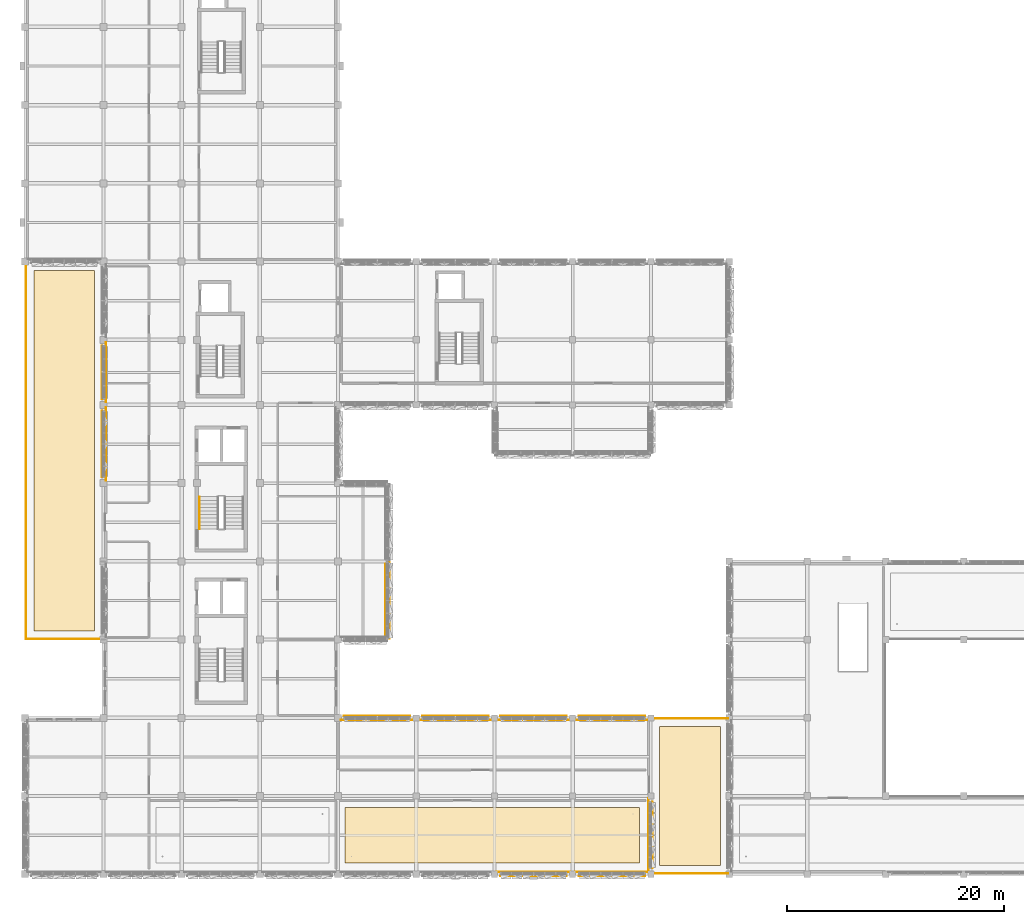
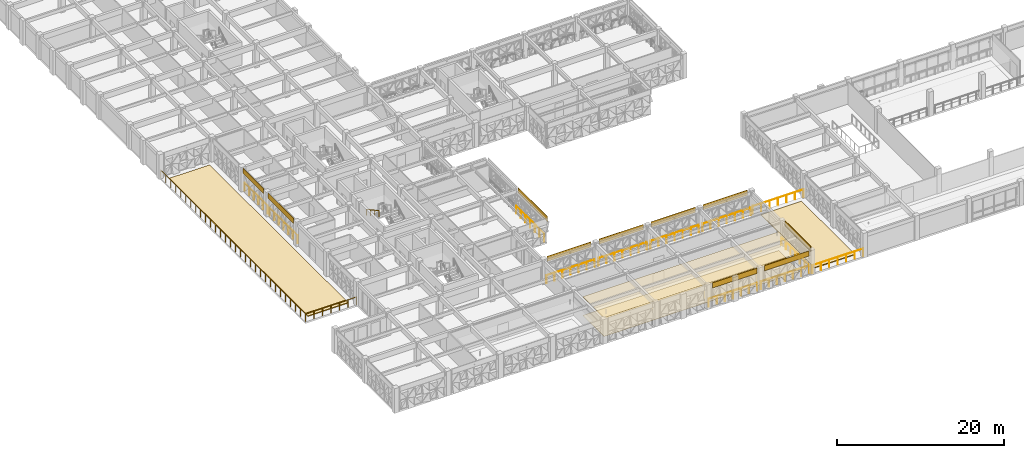
# One storey, part 69 of 85: 14 coverings, 14 railings.
"""IFC4 building model written with IfcOpenShell, lengths in metres."""

from ifc_helpers import new_model, si_unit, direction, frame, origin, origin_2d, place, context, subcontext, project, spatial, polyline, circle, outline, extrude, material, layer, layer_set, type_object, element, save


model = new_model("IFC4")

# Units and contexts
model_context = context("Model", 3, precision=1e-05, world=origin(), true_north=direction((0.0, 1.0)))
body_context = subcontext(model_context, "Body", "Model", "MODEL_VIEW")
ifc_project = project(units=[si_unit("LENGTHUNIT", "METRE"), si_unit("AREAUNIT", "SQUARE_METRE"), si_unit("VOLUMEUNIT", "CUBIC_METRE"), si_unit("PLANEANGLEUNIT", "RADIAN"), si_unit("MASSUNIT", "GRAM", prefix="KILO")], contexts=[model_context])

# Site, building, storey
site_placement = place(None, origin())
site = spatial("IfcSite", under=ifc_project, at=site_placement, CompositionType="ELEMENT")
building_placement = place(site_placement, origin())
building = spatial("IfcBuilding", under=site, at=building_placement, Name="Alvorim Cloister Faculty of Sciences", CompositionType="ELEMENT")
storey_placement = place(building_placement, frame((0.0, 0.0, 8.550048828125)))
storey = spatial("IfcBuildingStorey", under=building, at=storey_placement, Name="L02", CompositionType="ELEMENT", Elevation=8.550048828125)

# Coverings
ifc_material_1 = material(Name="Perforated Timber Acoustic Ceiling", Category="wood")
ifc_layer_1 = layer(ifc_material_1, 0.030029296875)
ifc_layer_set_1 = layer_set([ifc_layer_1], Name="Perforated Timber Acoustic Ceiling")
covering_type_1 = type_object("IfcCoveringType", Name="COV-CEIL-ACOUSTIC", PredefinedType="CEILING", material=ifc_layer_set_1)
covering_1_placement = place(storey_placement, frame((0.0, 0.0, 2.72998046875)))
element("IfcCovering", 1, at=covering_1_placement, inside=storey, type_object=covering_type_1, Name="Inorganic Synthesis Laboratory Acoustic Ceiling", PredefinedType="CEILING", context=body_context, shape_type="SweptSolid", body=[
    extrude(outline(polyline([(29.449951171875, 1.050048828125), (56.550048828125, 1.050048828125), (56.550048828125, 6.14990234375), (29.449951171875, 6.14990234375), (29.449951171875, 1.050048828125)])), origin(), (0.0, 0.0, 1.0), 0.030029296875),
])
ifc_material_2 = material(Name="Anodised Aluminium Alloy 6063-T6", Category="aluminium")
ifc_layer_2 = layer(ifc_material_2, 0.031982421875)
ifc_layer_set_2 = layer_set([ifc_layer_2], Name="Anodised Aluminium Alloy 6063-T6")
covering_type_2 = type_object("IfcCoveringType", Name="COV-FAC-CAS", PredefinedType="CLADDING", material=ifc_layer_set_2)
covering_2_placement = place(storey_placement, frame((7.050048828125, 36.5400390625, 2.829833984375), z_axis=(0.0, 0.0, 1.0), x_axis=(0.0, 1.0, 0.0)))
element("IfcCovering", 2, at=covering_2_placement, inside=storey, type_object=covering_type_2, Name="L02 Shifted Bar Slab-Edge Architectural Fascia", PredefinedType="CLADDING", context=body_context, shape_type="SweptSolid", body=[
    extrude(outline(polyline([(0.0, 0.0), (6.1201171875, 0.0), (6.1201171875, 0.760009765625), (0.0, 0.760009765625), (0.0, 0.0)])), frame((0.0, 0.0224609375, 0.0), z_axis=(0.0, -1.0, 0.0), x_axis=(1.0, 0.0, 0.0)), (0.0, 0.0, 1.0), 0.044921875),
])
covering_3_placement = place(storey_placement, frame((7.050048828125, 43.739990234375, 2.829833984375), z_axis=(0.0, 0.0, 1.0), x_axis=(0.0, 1.0, 0.0)))
element("IfcCovering", 3, at=covering_3_placement, inside=storey, type_object=covering_type_2, Name="L02 Shifted Bar Slab-Edge Architectural Fascia", PredefinedType="CLADDING", context=body_context, shape_type="SweptSolid", body=[
    extrude(outline(polyline([(0.0, 0.0), (4.919921875, 0.0), (4.919921875, 0.760009765625), (0.0, 0.760009765625), (0.0, 0.0)])), frame((0.0, 0.0224609375, 0.0), z_axis=(0.0, -1.0, 0.0), x_axis=(1.0, 0.0, 0.0)), (0.0, 0.0, 1.0), 0.044921875),
])
covering_4_placement = place(storey_placement, frame((33.550048828125, 21.679931640625, 2.8369140625), z_axis=(0.0, 0.0, 1.0), x_axis=(0.0, 1.0, 0.0)))
element("IfcCovering", 4, at=covering_4_placement, inside=storey, type_object=covering_type_2, Name="L02 Shifted Bar Slab-Edge Architectural Fascia", PredefinedType="CLADDING", context=body_context, shape_type="SweptSolid", body=[
    extrude(outline(polyline([(0.0, 0.0), (7.0400390625, 0.0), (7.0400390625, 0.7529296875), (0.0, 0.7529296875), (0.0, 0.0)])), frame((0.0, 0.0224609375, 0.0), z_axis=(0.0, -1.0, 0.0), x_axis=(1.0, 0.0, 0.0)), (0.0, 0.0, 1.0), 0.044921875),
])
for number, where, z_axis, x_axis, name in (
    (5, (29.340087890625, 14.550048828125, 2.829833984375), (0.0, 0.0, 1.0), (1.0, 0.0, 0.0), "L02 Shifted Bar Slab-Edge Architectural Fascia"),
    (6, (36.5400390625, 14.550048828125, 2.829833984375), (0.0, 0.0, 1.0), (1.0, 0.0, 0.0), "L02 Shifted Bar Slab-Edge Architectural Fascia"),
    (7, (43.739990234375, 14.550048828125, 2.829833984375), (0.0, 0.0, 1.0), (1.0, 0.0, 0.0), "L02 Shifted Bar Slab-Edge Architectural Fascia"),
    (8, (50.93994140625, 14.550048828125, 2.829833984375), (0.0, 0.0, 1.0), (1.0, 0.0, 0.0), "L02 Shifted Bar Slab-Edge Architectural Fascia"),
    (9, (57.75, 0.5400390625, 2.829833984375), (0.0, 0.0, 1.0), (0.0, 1.0, 0.0), "L02 Shifted Bar Slab-Edge Architectural Fascia"),
    (10, (50.93994140625, -0.14990234375, 2.829833984375), (0.0, 0.0, 1.0), (1.0, 0.0, 0.0), "L02 Shifted Bar Slab-Edge Architectural Fascia"),
    (11, (43.739990234375, -0.14990234375, 2.829833984375), (0.0, 0.0, 1.0), (1.0, 0.0, 0.0), "L02 Shifted Bar Slab-Edge Architectural Fascia"),
):
    element("IfcCovering", number, at=place(storey_placement, frame(where, z_axis=z_axis, x_axis=x_axis)), inside=storey, type_object=covering_type_2, Name=name, PredefinedType="CLADDING", context=body_context, shape_type="SweptSolid", body=[
        extrude(outline(polyline([(0.0, 0.0), (6.1201171875, 0.0), (6.1201171875, 0.760009765625), (0.0, 0.760009765625), (0.0, 0.0)])), frame((0.0, 0.0224609375, 0.0), z_axis=(0.0, -1.0, 0.0), x_axis=(1.0, 0.0, 0.0)), (0.0, 0.0, 1.0), 0.044921875),
    ])
ifc_material_3 = material(Name="Chemical-Resistant Sheet Flooring", Category="polymer")
ifc_layer_3 = layer(ifc_material_3, 0.02001953125)
ifc_layer_set_3 = layer_set([ifc_layer_3], Name="Chemical-Resistant Sheet Flooring")
covering_type_3 = type_object("IfcCoveringType", Name="COV-FLR-LAB", PredefinedType="FLOORING", material=ifc_layer_set_3)
covering_5_placement = place(storey_placement, origin())
element("IfcCovering", 12, at=covering_5_placement, inside=storey, type_object=covering_type_3, Name="Inorganic Synthesis Laboratory Floor Finish", PredefinedType="FLOORING", context=body_context, shape_type="SweptSolid", body=[
    extrude(outline(polyline([(29.449951171875, 1.050048828125), (56.550048828125, 1.050048828125), (56.550048828125, 6.14990234375), (29.449951171875, 6.14990234375), (29.449951171875, 1.050048828125)])), origin(), (0.0, 0.0, 1.0), 0.02001953125),
])
ifc_material_4 = material(Name="Intensive Vegetated Substrate", Category="earth")
ifc_layer_4 = layer(ifc_material_4, 0.10009765625)
ifc_layer_set_4 = layer_set([ifc_layer_4], Name="Intensive Vegetated Substrate")
covering_type_4 = type_object("IfcCoveringType", Name="COV-ROOF-GREEN", PredefinedType="ROOFING", material=ifc_layer_set_4)
covering_6_placement = place(storey_placement, origin())
element("IfcCovering", 13, at=covering_6_placement, inside=storey, type_object=covering_type_4, Name="L02 West Colonnade Stepped Roof Terrace Quota Ambiental Vegetated Substrate", PredefinedType="ROOFING", context=body_context, shape_type="SweptSolid", body=[
    extrude(outline(polyline([(0.800048828125, 22.39990234375), (6.39990234375, 22.39990234375), (6.39990234375, 55.60009765625), (0.800048828125, 55.60009765625), (0.800048828125, 22.39990234375)])), origin(), (0.0, 0.0, 1.0), 0.099853515625),
])
covering_7_placement = place(storey_placement, origin())
element("IfcCovering", 14, at=covering_7_placement, inside=storey, type_object=covering_type_4, Name="L02 Public Passage Overlook Terrace Quota Ambiental Vegetated Substrate", PredefinedType="ROOFING", context=body_context, shape_type="SweptSolid", body=[
    extrude(outline(polyline([(58.39990234375, 0.800048828125), (64.0, 0.800048828125), (64.0, 13.60009765625), (58.39990234375, 13.60009765625), (58.39990234375, 0.800048828125)])), origin(), (0.0, 0.0, 1.0), 0.099853515625),
])

# Railings
ifc_material_5 = material(Name="Laminated Safety Glass and Bronze", Category="glass")
railing_type_1 = type_object("IfcRailingType", Name="RL-ATR-BAL-1150", PredefinedType="BALUSTRADE", material=ifc_material_5)
railing_1_placement = place(storey_placement, frame((7.419921875, 36.25, 0.0)))
element("IfcRailing", 15, at=railing_1_placement, inside=storey, type_object=railing_type_1, Name="L02 Curtain Wall Sill Guard BL-46", PredefinedType="BALUSTRADE", context=body_context, shape_type="SweptSolid", body=[
    extrude(circle(Radius=0.02392578125, at=origin_2d()), frame((0.0, 0.0, 1.1259765625), z_axis=(0.0, 1.0, 0.0), x_axis=(-1.0, 0.0, 0.0)), (0.0, 0.0, 1.0), 6.699951171875),
    extrude(circle(Radius=0.02099609375, at=origin_2d()), origin(), (0.0, 0.0, 1.0), 1.101806640625),
    extrude(circle(Radius=0.02099609375, at=origin_2d()), frame((0.0, 1.11669921875, 0.0)), (0.0, 0.0, 1.0), 1.101806640625),
    extrude(circle(Radius=0.02099609375, at=origin_2d()), frame((0.0, 2.2333984375, 0.0)), (0.0, 0.0, 1.0), 1.101806640625),
    extrude(circle(Radius=0.02099609375, at=origin_2d()), frame((0.0, 3.35009765625, 0.0)), (0.0, 0.0, 1.0), 1.101806640625),
    extrude(circle(Radius=0.02099609375, at=origin_2d()), frame((0.0, 4.466552734375, 0.0)), (0.0, 0.0, 1.0), 1.101806640625),
    extrude(circle(Radius=0.02099609375, at=origin_2d()), frame((0.0, 5.583251953125, 0.0)), (0.0, 0.0, 1.0), 1.101806640625),
    extrude(circle(Radius=0.02099609375, at=origin_2d()), frame((0.0, 6.699951171875, 0.0)), (0.0, 0.0, 1.0), 1.101806640625),
])
railing_2_placement = place(storey_placement, frame((7.419921875, 43.449951171875, 0.0)))
element("IfcRailing", 16, at=railing_2_placement, inside=storey, type_object=railing_type_1, Name="L02 Curtain Wall Sill Guard BL-47", PredefinedType="BALUSTRADE", context=body_context, shape_type="SweptSolid", body=[
    extrude(circle(Radius=0.02392578125, at=origin_2d()), frame((0.0, 0.0, 1.1259765625), z_axis=(0.0, 1.0, 0.0), x_axis=(-1.0, 0.0, 0.0)), (0.0, 0.0, 1.0), 5.5),
    extrude(circle(Radius=0.02099609375, at=origin_2d()), origin(), (0.0, 0.0, 1.0), 1.101806640625),
    extrude(circle(Radius=0.02099609375, at=origin_2d()), frame((0.0, 1.10009765625, 0.0)), (0.0, 0.0, 1.0), 1.101806640625),
    extrude(circle(Radius=0.02099609375, at=origin_2d()), frame((0.0, 2.199951171875, 0.0)), (0.0, 0.0, 1.0), 1.101806640625),
    extrude(circle(Radius=0.02099609375, at=origin_2d()), frame((0.0, 3.300048828125, 0.0)), (0.0, 0.0, 1.0), 1.101806640625),
    extrude(circle(Radius=0.02099609375, at=origin_2d()), frame((0.0, 4.39990234375, 0.0)), (0.0, 0.0, 1.0), 1.101806640625),
    extrude(circle(Radius=0.02099609375, at=origin_2d()), frame((0.0, 5.5, 0.0)), (0.0, 0.0, 1.0), 1.101806640625),
])
railing_3_placement = place(storey_placement, frame((33.179931640625, 21.85009765625, 0.0)))
element("IfcRailing", 17, at=railing_3_placement, inside=storey, type_object=railing_type_1, Name="L02 Curtain Wall Sill Guard BL-67", PredefinedType="BALUSTRADE", context=body_context, shape_type="SweptSolid", body=[
    extrude(circle(Radius=0.02392578125, at=origin_2d()), frame((0.0, 0.0, 1.1259765625), z_axis=(0.0, 1.0, 0.0), x_axis=(-1.0, 0.0, 0.0)), (0.0, 0.0, 1.0), 6.699951171875),
    extrude(circle(Radius=0.02099609375, at=origin_2d()), origin(), (0.0, 0.0, 1.0), 1.101806640625),
    extrude(circle(Radius=0.02099609375, at=origin_2d()), frame((0.0, 1.11669921875, 0.0)), (0.0, 0.0, 1.0), 1.101806640625),
    extrude(circle(Radius=0.02099609375, at=origin_2d()), frame((0.0, 2.2333984375, 0.0)), (0.0, 0.0, 1.0), 1.101806640625),
    extrude(circle(Radius=0.02099609375, at=origin_2d()), frame((0.0, 3.35009765625, 0.0)), (0.0, 0.0, 1.0), 1.101806640625),
    extrude(circle(Radius=0.02099609375, at=origin_2d()), frame((0.0, 4.466552734375, 0.0)), (0.0, 0.0, 1.0), 1.101806640625),
    extrude(circle(Radius=0.02099609375, at=origin_2d()), frame((0.0, 5.583251953125, 0.0)), (0.0, 0.0, 1.0), 1.101806640625),
    extrude(circle(Radius=0.02099609375, at=origin_2d()), frame((0.0, 6.699951171875, 0.0)), (0.0, 0.0, 1.0), 1.101806640625),
])
for number, where, name in (
    (18, (29.050048828125, 14.179931640625, 0.0), "L02 Curtain Wall Sill Guard BL-69"),
    (19, (36.25, 14.179931640625, 0.0), "L02 Curtain Wall Sill Guard BL-70"),
    (20, (43.449951171875, 14.179931640625, 0.0), "L02 Curtain Wall Sill Guard BL-71"),
):
    element("IfcRailing", number, at=place(storey_placement, frame(where)), inside=storey, type_object=railing_type_1, Name=name, PredefinedType="BALUSTRADE", context=body_context, shape_type="SweptSolid", body=[
        extrude(circle(Radius=0.02392578125, at=origin_2d()), frame((0.0, 0.0, 1.1259765625), z_axis=(1.0, 0.0, 0.0), x_axis=(0.0, 1.0, 0.0)), (0.0, 0.0, 1.0), 6.699951171875),
        extrude(circle(Radius=0.02099609375, at=origin_2d()), origin(), (0.0, 0.0, 1.0), 1.101806640625),
        extrude(circle(Radius=0.02099609375, at=origin_2d()), frame((1.11669921875, 0.0, 0.0)), (0.0, 0.0, 1.0), 1.101806640625),
        extrude(circle(Radius=0.02099609375, at=origin_2d()), frame((2.2333984375, 0.0, 0.0)), (0.0, 0.0, 1.0), 1.101806640625),
        extrude(circle(Radius=0.02099609375, at=origin_2d()), frame((3.35009765625, 0.0, 0.0)), (0.0, 0.0, 1.0), 1.101806640625),
        extrude(circle(Radius=0.02099609375, at=origin_2d()), frame((4.466552734375, 0.0, 0.0)), (0.0, 0.0, 1.0), 1.101806640625),
        extrude(circle(Radius=0.02099609375, at=origin_2d()), frame((5.583251953125, 0.0, 0.0)), (0.0, 0.0, 1.0), 1.101806640625),
        extrude(circle(Radius=0.02099609375, at=origin_2d()), frame((6.699951171875, 0.0, 0.0)), (0.0, 0.0, 1.0), 1.101806640625),
    ])
railing_4_placement = place(storey_placement, frame((50.64990234375, 14.179931640625, 0.0)))
element("IfcRailing", 21, at=railing_4_placement, inside=storey, type_object=railing_type_1, Name="L02 Curtain Wall Sill Guard BL-72", PredefinedType="BALUSTRADE", context=body_context, shape_type="SweptSolid", body=[
    extrude(circle(Radius=0.02392578125, at=origin_2d()), frame((0.0, 0.0, 1.1259765625), z_axis=(1.0, 0.0, 0.0), x_axis=(0.0, 1.0, 0.0)), (0.0, 0.0, 1.0), 6.7001953125),
    extrude(circle(Radius=0.02099609375, at=origin_2d()), origin(), (0.0, 0.0, 1.0), 1.101806640625),
    extrude(circle(Radius=0.02099609375, at=origin_2d()), frame((1.11669921875, 0.0, 0.0)), (0.0, 0.0, 1.0), 1.101806640625),
    extrude(circle(Radius=0.02099609375, at=origin_2d()), frame((2.2333984375, 0.0, 0.0)), (0.0, 0.0, 1.0), 1.101806640625),
    extrude(circle(Radius=0.02099609375, at=origin_2d()), frame((3.35009765625, 0.0, 0.0)), (0.0, 0.0, 1.0), 1.101806640625),
    extrude(circle(Radius=0.02099609375, at=origin_2d()), frame((4.466796875, 0.0, 0.0)), (0.0, 0.0, 1.0), 1.101806640625),
    extrude(circle(Radius=0.02099609375, at=origin_2d()), frame((5.58349609375, 0.0, 0.0)), (0.0, 0.0, 1.0), 1.101806640625),
    extrude(circle(Radius=0.02099609375, at=origin_2d()), frame((6.7001953125, 0.0, 0.0)), (0.0, 0.0, 1.0), 1.101806640625),
])
railing_5_placement = place(storey_placement, frame((57.3798828125, 0.25, 0.0)))
element("IfcRailing", 22, at=railing_5_placement, inside=storey, type_object=railing_type_1, Name="L02 Curtain Wall Sill Guard BL-73", PredefinedType="BALUSTRADE", context=body_context, shape_type="SweptSolid", body=[
    extrude(circle(Radius=0.02392578125, at=origin_2d()), frame((0.0, 0.0, 1.1259765625), z_axis=(0.0, 1.0, 0.0), x_axis=(-1.0, 0.0, 0.0)), (0.0, 0.0, 1.0), 6.699951171875),
    extrude(circle(Radius=0.02099609375, at=origin_2d()), origin(), (0.0, 0.0, 1.0), 1.101806640625),
    extrude(circle(Radius=0.02099609375, at=origin_2d()), frame((0.0, 1.11669921875, 0.0)), (0.0, 0.0, 1.0), 1.101806640625),
    extrude(circle(Radius=0.02099609375, at=origin_2d()), frame((0.0, 2.2333984375, 0.0)), (0.0, 0.0, 1.0), 1.101806640625),
    extrude(circle(Radius=0.02099609375, at=origin_2d()), frame((0.0, 3.35009765625, 0.0)), (0.0, 0.0, 1.0), 1.101806640625),
    extrude(circle(Radius=0.02099609375, at=origin_2d()), frame((0.0, 4.466552734375, 0.0)), (0.0, 0.0, 1.0), 1.101806640625),
    extrude(circle(Radius=0.02099609375, at=origin_2d()), frame((0.0, 5.583251953125, 0.0)), (0.0, 0.0, 1.0), 1.101806640625),
    extrude(circle(Radius=0.02099609375, at=origin_2d()), frame((0.0, 6.699951171875, 0.0)), (0.0, 0.0, 1.0), 1.101806640625),
])
railing_6_placement = place(storey_placement, frame((50.64990234375, 0.219970703125, 0.0)))
element("IfcRailing", 23, at=railing_6_placement, inside=storey, type_object=railing_type_1, Name="L02 Curtain Wall Sill Guard BL-74", PredefinedType="BALUSTRADE", context=body_context, shape_type="SweptSolid", body=[
    extrude(circle(Radius=0.02392578125, at=origin_2d()), frame((0.0, 0.0, 1.1259765625), z_axis=(1.0, 0.0, 0.0), x_axis=(0.0, 1.0, 0.0)), (0.0, 0.0, 1.0), 6.7001953125),
    extrude(circle(Radius=0.02099609375, at=origin_2d()), origin(), (0.0, 0.0, 1.0), 1.101806640625),
    extrude(circle(Radius=0.02099609375, at=origin_2d()), frame((1.11669921875, 0.0, 0.0)), (0.0, 0.0, 1.0), 1.101806640625),
    extrude(circle(Radius=0.02099609375, at=origin_2d()), frame((2.2333984375, 0.0, 0.0)), (0.0, 0.0, 1.0), 1.101806640625),
    extrude(circle(Radius=0.02099609375, at=origin_2d()), frame((3.35009765625, 0.0, 0.0)), (0.0, 0.0, 1.0), 1.101806640625),
    extrude(circle(Radius=0.02099609375, at=origin_2d()), frame((4.466796875, 0.0, 0.0)), (0.0, 0.0, 1.0), 1.101806640625),
    extrude(circle(Radius=0.02099609375, at=origin_2d()), frame((5.58349609375, 0.0, 0.0)), (0.0, 0.0, 1.0), 1.101806640625),
    extrude(circle(Radius=0.02099609375, at=origin_2d()), frame((6.7001953125, 0.0, 0.0)), (0.0, 0.0, 1.0), 1.101806640625),
])
railing_7_placement = place(storey_placement, frame((43.449951171875, 0.219970703125, 0.0)))
element("IfcRailing", 24, at=railing_7_placement, inside=storey, type_object=railing_type_1, Name="L02 Curtain Wall Sill Guard BL-75", PredefinedType="BALUSTRADE", context=body_context, shape_type="SweptSolid", body=[
    extrude(circle(Radius=0.02392578125, at=origin_2d()), frame((0.0, 0.0, 1.1259765625), z_axis=(1.0, 0.0, 0.0), x_axis=(0.0, 1.0, 0.0)), (0.0, 0.0, 1.0), 6.699951171875),
    extrude(circle(Radius=0.02099609375, at=origin_2d()), origin(), (0.0, 0.0, 1.0), 1.101806640625),
    extrude(circle(Radius=0.02099609375, at=origin_2d()), frame((1.11669921875, 0.0, 0.0)), (0.0, 0.0, 1.0), 1.101806640625),
    extrude(circle(Radius=0.02099609375, at=origin_2d()), frame((2.2333984375, 0.0, 0.0)), (0.0, 0.0, 1.0), 1.101806640625),
    extrude(circle(Radius=0.02099609375, at=origin_2d()), frame((3.35009765625, 0.0, 0.0)), (0.0, 0.0, 1.0), 1.101806640625),
    extrude(circle(Radius=0.02099609375, at=origin_2d()), frame((4.466552734375, 0.0, 0.0)), (0.0, 0.0, 1.0), 1.101806640625),
    extrude(circle(Radius=0.02099609375, at=origin_2d()), frame((5.583251953125, 0.0, 0.0)), (0.0, 0.0, 1.0), 1.101806640625),
    extrude(circle(Radius=0.02099609375, at=origin_2d()), frame((6.699951171875, 0.0, 0.0)), (0.0, 0.0, 1.0), 1.101806640625),
])
ifc_material_6 = material(Name="Galvanised Painted Steel", Category="steel")
railing_type_2 = type_object("IfcRailingType", Name="RL-PAR-GUARD-1150", PredefinedType="GUARDRAIL", material=ifc_material_6)
railing_8_placement = place(storey_placement, frame((64.719970703125, 14.340087890625, 0.0)))
element("IfcRailing", 25, at=railing_8_placement, inside=storey, type_object=railing_type_2, Name="L02 Public Passage Overlook Terrace Perimeter Guard GR-296", PredefinedType="GUARDRAIL", context=body_context, shape_type="SweptSolid", body=[
    extrude(circle(Radius=0.02392578125, at=origin_2d()), frame((0.0, 0.0, 1.1259765625), z_axis=(-1.0, 0.0, 0.0), x_axis=(0.0, -1.0, 0.0)), (0.0, 0.0, 1.0), 7.0400390625),
    extrude(circle(Radius=0.02099609375, at=origin_2d()), origin(), (0.0, 0.0, 1.0), 1.101806640625),
    extrude(circle(Radius=0.02099609375, at=origin_2d()), frame((-1.17333984375, 0.0, 0.0)), (0.0, 0.0, 1.0), 1.101806640625),
    extrude(circle(Radius=0.02099609375, at=origin_2d()), frame((-2.3466796875, 0.0, 0.0)), (0.0, 0.0, 1.0), 1.101806640625),
    extrude(circle(Radius=0.02099609375, at=origin_2d()), frame((-3.52001953125, 0.0, 0.0)), (0.0, 0.0, 1.0), 1.101806640625),
    extrude(circle(Radius=0.02099609375, at=origin_2d()), frame((-4.693359375, 0.0, 0.0)), (0.0, 0.0, 1.0), 1.101806640625),
    extrude(circle(Radius=0.02099609375, at=origin_2d()), frame((-5.86669921875, 0.0, 0.0)), (0.0, 0.0, 1.0), 1.101806640625),
    extrude(circle(Radius=0.02099609375, at=origin_2d()), frame((-7.0400390625, 0.0, 0.0)), (0.0, 0.0, 1.0), 1.101806640625),
])
railing_9_placement = place(storey_placement, frame((57.679931640625, 0.06005859375, 0.0)))
element("IfcRailing", 26, at=railing_9_placement, inside=storey, type_object=railing_type_2, Name="L02 Public Passage Overlook Terrace Perimeter Guard GR-297", PredefinedType="GUARDRAIL", context=body_context, shape_type="SweptSolid", body=[
    extrude(circle(Radius=0.02392578125, at=origin_2d()), frame((0.0, 0.0, 1.1259765625), z_axis=(1.0, 0.0, 0.0), x_axis=(0.0, 1.0, 0.0)), (0.0, 0.0, 1.0), 7.0400390625),
    extrude(circle(Radius=0.02099609375, at=origin_2d()), origin(), (0.0, 0.0, 1.0), 1.101806640625),
    extrude(circle(Radius=0.02099609375, at=origin_2d()), frame((1.17333984375, 0.0, 0.0)), (0.0, 0.0, 1.0), 1.101806640625),
    extrude(circle(Radius=0.02099609375, at=origin_2d()), frame((2.3466796875, 0.0, 0.0)), (0.0, 0.0, 1.0), 1.101806640625),
    extrude(circle(Radius=0.02099609375, at=origin_2d()), frame((3.52001953125, 0.0, 0.0)), (0.0, 0.0, 1.0), 1.101806640625),
    extrude(circle(Radius=0.02099609375, at=origin_2d()), frame((4.693359375, 0.0, 0.0)), (0.0, 0.0, 1.0), 1.101806640625),
    extrude(circle(Radius=0.02099609375, at=origin_2d()), frame((5.86669921875, 0.0, 0.0)), (0.0, 0.0, 1.0), 1.101806640625),
    extrude(circle(Radius=0.02099609375, at=origin_2d()), frame((7.0400390625, 0.0, 0.0)), (0.0, 0.0, 1.0), 1.101806640625),
])
ifc_material_7 = material(Name="Brushed Stainless Steel", Category="steel")
railing_type_3 = type_object("IfcRailingType", Name="RL-STR-HAND", PredefinedType="HANDRAIL", material=ifc_material_7)
railing_10_placement = place(storey_placement, frame((16.050048828125, 34.75, 1.97998046875)))
element("IfcRailing", 27, at=railing_10_placement, inside=storey, type_object=railing_type_3, Name="L02 ST-02 stair handrail 2", PredefinedType="HANDRAIL", context=body_context, shape_type="SweptSolid", body=[
    extrude(circle(Radius=0.02392578125, at=origin_2d()), frame((0.0, 0.0, 0.8759765625), z_axis=(0.0, -0.877909362389, 0.478826849112), x_axis=(1.0, 0.0, 0.0)), (0.0, 0.0, 1.0), 3.383056640625),
    extrude(circle(Radius=0.02099609375, at=origin_2d()), origin(), (0.0, 0.0, 1.0), 0.851806640625),
    extrude(circle(Radius=0.02099609375, at=origin_2d()), frame((0.0, -0.989990234375, 0.5400390625)), (0.0, 0.0, 1.0), 0.851806640625),
    extrude(circle(Radius=0.02099609375, at=origin_2d()), frame((0.0, -1.97998046875, 1.079833984375)), (0.0, 0.0, 1.0), 0.851806640625),
    extrude(circle(Radius=0.02099609375, at=origin_2d()), frame((0.0, -2.969970703125, 1.619873046875)), (0.0, 0.0, 1.0), 0.851806640625),
])
railing_type_4 = type_object("IfcRailingType", Name="RL-TER-GUARD-1150", PredefinedType="GUARDRAIL", material=ifc_material_6)
railing_11_placement = place(storey_placement, frame((0.06005859375, 56.320068359375, 0.0)))
element("IfcRailing", 28, at=railing_11_placement, inside=storey, type_object=railing_type_4, Name="L02 West Colonnade Stepped Roof Terrace Perimeter Guard GR-295", PredefinedType="GUARDRAIL", context=body_context, shape_type="SweptSolid", body=[
    extrude(circle(Radius=0.02392578125, at=origin_2d()), frame((0.0, 0.0, 1.1259765625), z_axis=(0.0, -1.0, 0.0), x_axis=(1.0, 0.0, 0.0)), (0.0, 0.0, 1.0), 34.66015625),
    extrude(circle(Radius=0.02392578125, at=origin_2d()), frame((0.0, -34.66015625, 1.1259765625), z_axis=(1.0, 0.0, 0.0), x_axis=(0.0, 1.0, 0.0)), (0.0, 0.0, 1.0), 7.06005859375),
    extrude(circle(Radius=0.02099609375, at=origin_2d()), origin(), (0.0, 0.0, 1.0), 1.101806640625),
    extrude(circle(Radius=0.02099609375, at=origin_2d()), frame((0.0, -1.195068359375, 0.0)), (0.0, 0.0, 1.0), 1.101806640625),
    extrude(circle(Radius=0.02099609375, at=origin_2d()), frame((0.0, -2.390380859375, 0.0)), (0.0, 0.0, 1.0), 1.101806640625),
    extrude(circle(Radius=0.02099609375, at=origin_2d()), frame((0.0, -3.58544921875, 0.0)), (0.0, 0.0, 1.0), 1.101806640625),
    extrude(circle(Radius=0.02099609375, at=origin_2d()), frame((0.0, -4.78076171875, 0.0)), (0.0, 0.0, 1.0), 1.101806640625),
    extrude(circle(Radius=0.02099609375, at=origin_2d()), frame((0.0, -5.975830078125, 0.0)), (0.0, 0.0, 1.0), 1.101806640625),
    extrude(circle(Radius=0.02099609375, at=origin_2d()), frame((0.0, -7.171142578125, 0.0)), (0.0, 0.0, 1.0), 1.101806640625),
    extrude(circle(Radius=0.02099609375, at=origin_2d()), frame((0.0, -8.3662109375, 0.0)), (0.0, 0.0, 1.0), 1.101806640625),
    extrude(circle(Radius=0.02099609375, at=origin_2d()), frame((0.0, -9.5615234375, 0.0)), (0.0, 0.0, 1.0), 1.101806640625),
    extrude(circle(Radius=0.02099609375, at=origin_2d()), frame((0.0, -10.756591796875, 0.0)), (0.0, 0.0, 1.0), 1.101806640625),
    extrude(circle(Radius=0.02099609375, at=origin_2d()), frame((0.0, -11.95166015625, 0.0)), (0.0, 0.0, 1.0), 1.101806640625),
    extrude(circle(Radius=0.02099609375, at=origin_2d()), frame((0.0, -13.14697265625, 0.0)), (0.0, 0.0, 1.0), 1.101806640625),
    extrude(circle(Radius=0.02099609375, at=origin_2d()), frame((0.0, -14.342041015625, 0.0)), (0.0, 0.0, 1.0), 1.101806640625),
    extrude(circle(Radius=0.02099609375, at=origin_2d()), frame((0.0, -15.537353515625, 0.0)), (0.0, 0.0, 1.0), 1.101806640625),
    extrude(circle(Radius=0.02099609375, at=origin_2d()), frame((0.0, -16.732421875, 0.0)), (0.0, 0.0, 1.0), 1.101806640625),
    extrude(circle(Radius=0.02099609375, at=origin_2d()), frame((0.0, -17.927734375, 0.0)), (0.0, 0.0, 1.0), 1.101806640625),
    extrude(circle(Radius=0.02099609375, at=origin_2d()), frame((0.0, -19.122802734375, 0.0)), (0.0, 0.0, 1.0), 1.101806640625),
    extrude(circle(Radius=0.02099609375, at=origin_2d()), frame((0.0, -20.318115234375, 0.0)), (0.0, 0.0, 1.0), 1.101806640625),
    extrude(circle(Radius=0.02099609375, at=origin_2d()), frame((0.0, -21.51318359375, 0.0)), (0.0, 0.0, 1.0), 1.101806640625),
    extrude(circle(Radius=0.02099609375, at=origin_2d()), frame((0.0, -22.70849609375, 0.0)), (0.0, 0.0, 1.0), 1.101806640625),
    extrude(circle(Radius=0.02099609375, at=origin_2d()), frame((0.0, -23.903564453125, 0.0)), (0.0, 0.0, 1.0), 1.101806640625),
    extrude(circle(Radius=0.02099609375, at=origin_2d()), frame((0.0, -25.0986328125, 0.0)), (0.0, 0.0, 1.0), 1.101806640625),
    extrude(circle(Radius=0.02099609375, at=origin_2d()), frame((0.0, -26.2939453125, 0.0)), (0.0, 0.0, 1.0), 1.101806640625),
    extrude(circle(Radius=0.02099609375, at=origin_2d()), frame((0.0, -27.489013671875, 0.0)), (0.0, 0.0, 1.0), 1.101806640625),
    extrude(circle(Radius=0.02099609375, at=origin_2d()), frame((0.0, -28.684326171875, 0.0)), (0.0, 0.0, 1.0), 1.101806640625),
    extrude(circle(Radius=0.02099609375, at=origin_2d()), frame((0.0, -29.87939453125, 0.0)), (0.0, 0.0, 1.0), 1.101806640625),
    extrude(circle(Radius=0.02099609375, at=origin_2d()), frame((0.0, -31.07470703125, 0.0)), (0.0, 0.0, 1.0), 1.101806640625),
    extrude(circle(Radius=0.02099609375, at=origin_2d()), frame((0.0, -32.269775390625, 0.0)), (0.0, 0.0, 1.0), 1.101806640625),
    extrude(circle(Radius=0.02099609375, at=origin_2d()), frame((0.0, -33.465087890625, 0.0)), (0.0, 0.0, 1.0), 1.101806640625),
    extrude(circle(Radius=0.02099609375, at=origin_2d()), frame((0.0, -34.66015625, 0.0)), (0.0, 0.0, 1.0), 1.101806640625),
    extrude(circle(Radius=0.02099609375, at=origin_2d()), frame((1.1767578125, -34.66015625, 0.0)), (0.0, 0.0, 1.0), 1.101806640625),
    extrude(circle(Radius=0.02099609375, at=origin_2d()), frame((2.353271484375, -34.66015625, 0.0)), (0.0, 0.0, 1.0), 1.101806640625),
    extrude(circle(Radius=0.02099609375, at=origin_2d()), frame((3.530029296875, -34.66015625, 0.0)), (0.0, 0.0, 1.0), 1.101806640625),
    extrude(circle(Radius=0.02099609375, at=origin_2d()), frame((4.706787109375, -34.66015625, 0.0)), (0.0, 0.0, 1.0), 1.101806640625),
    extrude(circle(Radius=0.02099609375, at=origin_2d()), frame((5.88330078125, -34.66015625, 0.0)), (0.0, 0.0, 1.0), 1.101806640625),
    extrude(circle(Radius=0.02099609375, at=origin_2d()), frame((7.06005859375, -34.66015625, 0.0)), (0.0, 0.0, 1.0), 1.101806640625),
])

save(model, "model.ifc")
